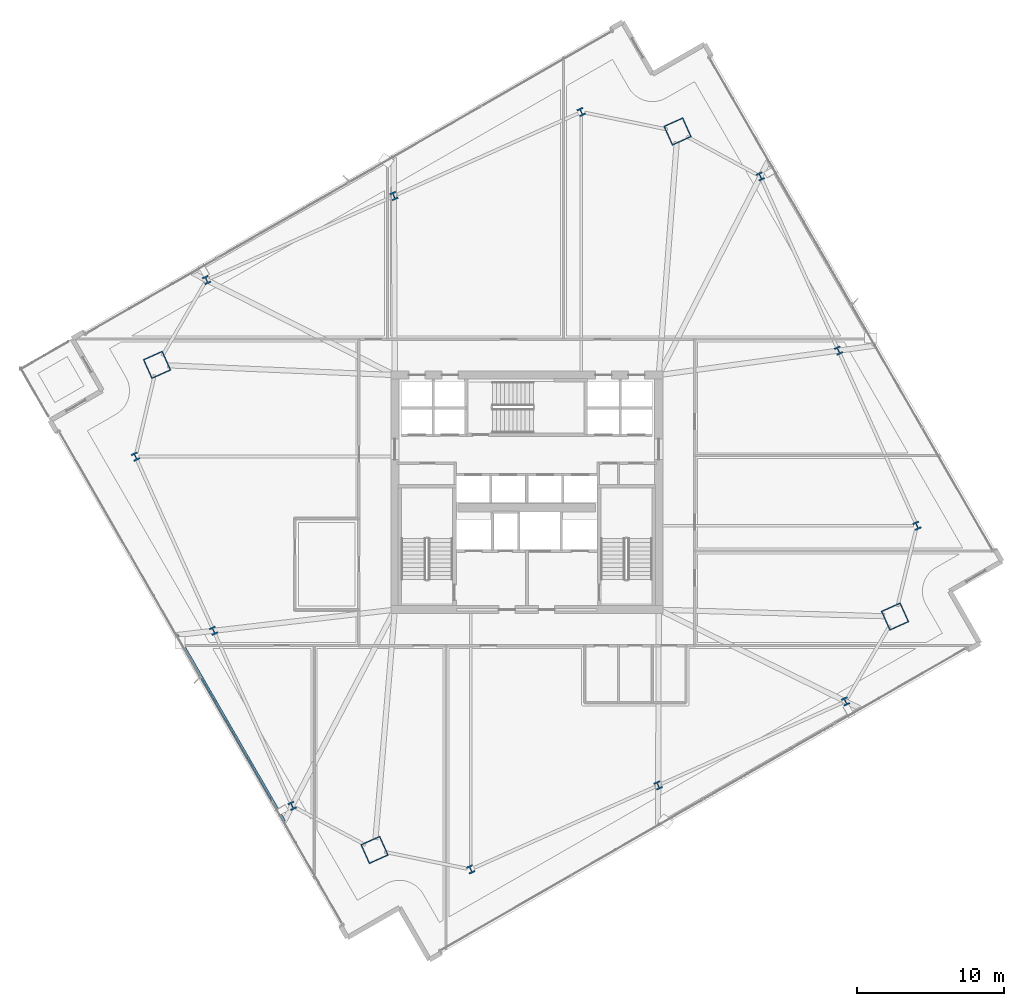
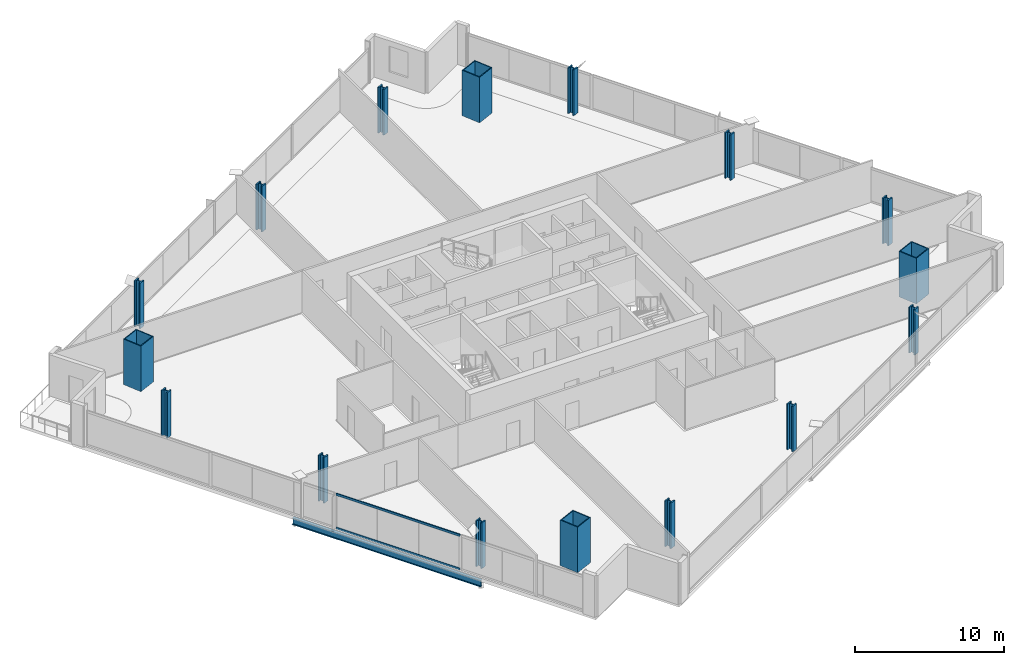
# One storey, part 1 of 33: 16 columns, 2 members, 1 beam, 1 element without a shape of its own.
"""IFC4 building model written with IfcOpenShell, lengths in metres."""

import ifcopenshell
import ifcopenshell.guid

model = None  # the IFC model being written
_history = None  # IfcOwnerHistory: only IFC2X3 demands one
_inside = {}  # id of a spatial element -> (the spatial element, [elements in it])
_under = {}  # id of a project, library or spatial element -> (it, [spatial elements below it])
_declared = {}  # id of a project -> (the project, [libraries it declares])
_typed = {}  # id of a type object -> (the type object, [elements of that type])
_made_of = {}  # id of a material, layer set ... -> (it, [elements and type objects made of it])


def new_model(schema):
    """Start an empty IFC model of exactly this schema.

    Asked for "IFC4X3", IfcOpenShell would pick the latest addendum, in which some entities
    have other attributes; the version numbers below select the first issue.
    IFC2X3 requires an IfcOwnerHistory on every rooted entity: one is made here for all.
    """
    global model, _history
    if schema == "IFC4X3":
        model = ifcopenshell.file(schema_version=(4, 3, 0, 0))
    else:
        model = ifcopenshell.file(schema=schema)
    _inside.clear()
    _under.clear()
    _declared.clear()
    _typed.clear()
    _made_of.clear()
    _history = None
    if model.schema == "IFC2X3":
        org = make("IfcOrganization", Name="unknown")
        user = make(
            "IfcPersonAndOrganization",
            ThePerson=make("IfcPerson", FamilyName="unknown"),
            TheOrganization=org,
        )
        app = make(
            "IfcApplication",
            ApplicationDeveloper=org,
            Version="unknown",
            ApplicationFullName="unknown",
            ApplicationIdentifier="unknown",
        )
        _history = make(
            "IfcOwnerHistory",
            OwningUser=user,
            OwningApplication=app,
            ChangeAction="ADDED",
            CreationDate=0,
        )
    return model


def make(cls, **values):
    """One entity of the class cls with the attributes given. An attribute that is None is left unset."""
    return model.create_entity(
        cls, **{name: value for name, value in values.items() if value is not None}
    )


def rooted(cls, **values):
    """An entity with a GlobalId (a new one), such as an element, a storey or a relation."""
    return make(cls, GlobalId=ifcopenshell.guid.new(), OwnerHistory=_history, **values)


def si_unit(unit_type, name, prefix=None):
    """IfcSIUnit, for example si_unit("LENGTHUNIT", "METRE", prefix="MILLI")."""
    return make("IfcSIUnit", UnitType=unit_type, Prefix=prefix, Name=name)


def assignment(units):
    """IfcUnitAssignment: the units of a project."""
    return None if units is None else make("IfcUnitAssignment", Units=units)


def point(xyz):
    """IfcCartesianPoint."""
    return None if xyz is None else make("IfcCartesianPoint", Coordinates=xyz)


def direction(xyz):
    """IfcDirection."""
    return None if xyz is None else make("IfcDirection", DirectionRatios=xyz)


def frame(location, z_axis=None, x_axis=None):
    """IfcAxis2Placement3D, a coordinate frame: its origin and axes. An axis left out is left unset."""
    return make(
        "IfcAxis2Placement3D",
        Location=point(location),
        Axis=direction(z_axis),
        RefDirection=direction(x_axis),
    )


def frame_2d(location, x_axis=None):
    """IfcAxis2Placement2D, a coordinate frame in the plane: its origin and x axis."""
    return make(
        "IfcAxis2Placement2D", Location=point(location), RefDirection=direction(x_axis)
    )


def origin():
    """The frame at (0, 0, 0) with its axes left unset."""
    return frame((0.0, 0.0, 0.0))


def origin_2d():
    """The frame at (0, 0) in the plane with its x axis left unset."""
    return frame_2d((0.0, 0.0))


def place(relative_to, where):
    """IfcLocalPlacement: puts the frame where relative to a parent placement (None: the world)."""
    return make(
        "IfcLocalPlacement", PlacementRelTo=relative_to, RelativePlacement=where
    )


def context(
    kind, dimensions, precision=None, world=None, true_north=None, identifier=None
):
    """IfcGeometricRepresentationContext, for example the 3D "Model" context."""
    return make(
        "IfcGeometricRepresentationContext",
        ContextIdentifier=identifier,
        ContextType=kind,
        CoordinateSpaceDimension=dimensions,
        Precision=precision,
        WorldCoordinateSystem=world,
        TrueNorth=true_north,
    )


def subcontext(parent, identifier, kind, view, scale=None):
    """IfcGeometricRepresentationSubContext, for example "Body" below "Model"."""
    return make(
        "IfcGeometricRepresentationSubContext",
        ContextIdentifier=identifier,
        ContextType=kind,
        ParentContext=parent,
        TargetScale=scale,
        TargetView=view,
    )


def project(units=None, contexts=None):
    """IfcProject with its units and contexts."""
    return rooted(
        "IfcProject",
        Name="project",
        RepresentationContexts=contexts,
        UnitsInContext=assignment(units),
    )


def spatial(cls, under=None, at=None, **own):
    """A site, building, storey or space (cls), placed at a placement, below another one or the project."""
    s = rooted(cls, ObjectPlacement=at, **own)
    if under is not None:
        _under.setdefault(under.id(), (under, []))[1].append(s)
    return s


def profile(cls, at=None, kind="AREA", **sizes):
    """A parametric profile (cls). Its sizes go by their IFC names, for example OverallWidth=200.0."""
    return make(cls, ProfileType=kind, Position=at, **sizes)


def hollow_rectangle(**sizes):
    """IfcRectangleHollowProfileDef."""
    return profile("IfcRectangleHollowProfileDef", **sizes)


def i_section(**sizes):
    """IfcIShapeProfileDef."""
    return profile("IfcIShapeProfileDef", **sizes)


def extrude(swept, where, along, depth):
    """IfcExtrudedAreaSolid: the profile swept, set in the frame where, extruded along a direction by depth."""
    return make(
        "IfcExtrudedAreaSolid",
        SweptArea=swept,
        Position=where,
        ExtrudedDirection=direction(along),
        Depth=depth,
    )


def shape(context_of_items, identifier, shape_type, items):
    """IfcShapeRepresentation: the items that make up one representation, for example the "Body"."""
    return make(
        "IfcShapeRepresentation",
        ContextOfItems=context_of_items,
        RepresentationIdentifier=identifier,
        RepresentationType=shape_type,
        Items=items,
    )


def material(Name=None, Category=None):
    """IfcMaterial."""
    return make("IfcMaterial", Name=Name, Category=Category)


def material_profile(
    of_material, cross_section, Name=None, Category=None, Priority=None
):
    """IfcMaterialProfile: a cross section and its material."""
    return make(
        "IfcMaterialProfile",
        Name=Name,
        Material=of_material,
        Profile=cross_section,
        Priority=Priority,
        Category=Category,
    )


def profile_set(profiles, Name=None, composite=None):
    """IfcMaterialProfileSet."""
    return make(
        "IfcMaterialProfileSet",
        Name=Name,
        MaterialProfiles=profiles,
        CompositeProfile=composite,
    )


def made_of(thing, what):
    """Note that an element or type object is made of a material, layer set ...; save() writes the relation."""
    if what is not None:
        _made_of.setdefault(what.id(), (what, []))[1].append(thing)
    return thing


def type_object(cls, material=None, **own):
    """A type object (cls), such as IfcWallType, which elements share."""
    return made_of(rooted(cls, **own), material)


def element(
    cls,
    number,
    at=None,
    inside=None,
    cuts=None,
    type_object=None,
    material=None,
    context=None,
    identifier="Body",
    shape_type=None,
    held_by="IfcProductDefinitionShape",
    body=None,
    shapes=None,
    **own,
):
    """One element of the class cls, such as IfcWall. Its Tag is "e" and its number.

    at: its placement. inside: the storey or other place that contains it. cuts: it is an
    opening in that element (IfcRelVoidsElement). A single representation is given by context,
    identifier, shape_type and body (its items); several are given by shapes. held_by: the class
    of the entity that holds the representations. save() writes the other relations.
    """
    e = rooted(cls, Tag="e%d" % number, ObjectPlacement=at, **own)
    if body is not None:
        shapes = [shape(context, identifier, shape_type, body)]
    if shapes is not None:
        e.Representation = make(held_by, Representations=shapes)
    if inside is not None:
        _inside.setdefault(inside.id(), (inside, []))[1].append(e)
    if cuts is not None:
        rooted(
            "IfcRelVoidsElement", RelatingBuildingElement=cuts, RelatedOpeningElement=e
        )
    if type_object is not None:
        _typed.setdefault(type_object.id(), (type_object, []))[1].append(e)
    return made_of(e, material)


def aggregate(whole, parts):
    """IfcRelAggregates: a whole, such as a stair, and the parts it consists of."""
    return rooted("IfcRelAggregates", RelatingObject=whole, RelatedObjects=parts)


def save(model, path):
    """Write the relations noted so far, then the file.

    IfcRelAggregates (storeys below a building ...), IfcRelContainedInSpatialStructure (elements
    in a storey), IfcRelDefinesByType, IfcRelAssociatesMaterial and IfcRelDeclares: one each for
    every whole, place, type object, material and project.
    """
    for whole, parts in _under.values():
        aggregate(whole, parts)
    for where, things in _inside.values():
        rooted(
            "IfcRelContainedInSpatialStructure",
            RelatedElements=things,
            RelatingStructure=where,
        )
    for kind, things in _typed.values():
        rooted("IfcRelDefinesByType", RelatedObjects=things, RelatingType=kind)
    for what, things in _made_of.values():
        rooted("IfcRelAssociatesMaterial", RelatedObjects=things, RelatingMaterial=what)
    for by, libraries in _declared.values():
        rooted("IfcRelDeclares", RelatingContext=by, RelatedDefinitions=libraries)
    model.write(path)


model = new_model("IFC4")

# Units and contexts
model_context = context("Model", 3, precision=1e-05, world=origin(), true_north=direction((0.0, 1.0)))
body_context = subcontext(model_context, "Body", "Model", "MODEL_VIEW")
ifc_project = project(units=[si_unit("LENGTHUNIT", "METRE"), si_unit("AREAUNIT", "SQUARE_METRE"), si_unit("VOLUMEUNIT", "CUBIC_METRE"), si_unit("PLANEANGLEUNIT", "RADIAN"), si_unit("MASSUNIT", "GRAM", prefix="KILO")], contexts=[model_context])

# Site, building, storey
site_placement = place(None, origin())
site = spatial("IfcSite", under=ifc_project, at=site_placement, CompositionType="ELEMENT")
building_placement = place(site_placement, origin())
building = spatial("IfcBuilding", under=site, at=building_placement, Name="Haldenkirk Collegiate Tower", CompositionType="ELEMENT")
storey_placement = place(building_placement, frame((0.0, 0.0, 127.949951171875)))
storey = spatial("IfcBuildingStorey", under=building, at=storey_placement, Name="L31", CompositionType="ELEMENT", Elevation=127.949951171875)

# Columns
ifc_material_1 = material(Name="Steel ASTM A913 Grade 65", Category="steel")
ifc_material_profile_1 = material_profile(ifc_material_1, i_section(OverallWidth=0.44189453125, OverallDepth=0.531005859375, WebThickness=0.06591796875, FlangeThickness=0.105712890625, at=origin_2d()), Name="W14X605")
ifc_profile_set_1 = profile_set([ifc_material_profile_1], Name="Steel ASTM A913 Grade 65")
column_type_1 = type_object("IfcColumnType", Name="COL-INT-W14X605", PredefinedType="COLUMN", material=ifc_profile_set_1)
for number, where, z_axis, x_axis, name in (
    (1, (32.181396484375, 0.287353515625, 0.0), (0.0, 0.0, 1.0), (0.912477494148, 0.409126902895, 0.0), "L31 perimeter gravity column PC-S1"),
    (2, (44.9599609375, 6.0166015625, 0.0), (0.0, 0.0, 1.0), (0.912477494148, 0.409126902895, 0.0), "L31 perimeter gravity column PC-S2"),
    (3, (57.73828125, 11.74609375, 0.0), (0.0, 0.0, 1.0), (0.912477494148, 0.409126902895, 0.0), "L31 perimeter gravity column PC-S3"),
    (4, (62.608642578125, 23.727294921875, 0.0), (0.0, 0.0, 1.0), (0.912477494148, 0.409126902895, 0.0), "L31 perimeter gravity column PC-E1"),
    (5, (57.255126953125, 35.667236328125, 0.0), (0.0, 0.0, 1.0), (0.912477494148, 0.409126902895, 0.0), "L31 perimeter gravity column PC-E2"),
    (6, (51.930419921875, 47.543212890625, 0.0), (0.0, 0.0, 1.0), (0.912477494148, 0.409126902895, 0.0), "L31 perimeter gravity column PC-E3"),
    (7, (39.71630859375, 51.94091796875, 0.0), (0.0, 0.0, 1.0), (0.912477494148, 0.409126902895, 0.0), "L31 perimeter gravity column PC-N1"),
    (8, (26.937744140625, 46.21142578125, 0.0), (0.0, 0.0, 1.0), (0.912477494148, 0.409126902895, 0.0), "L31 perimeter gravity column PC-N2"),
    (9, (14.159423828125, 40.48193359375, 0.0), (0.0, 0.0, 1.0), (0.912477494148, 0.409126902895, 0.0), "L31 perimeter gravity column PC-N3"),
    (10, (9.317626953125, 28.436767578125, 0.0), (0.0, 0.0, 1.0), (0.912477494148, 0.409126902895, 0.0), "L31 perimeter gravity column PC-W1"),
    (11, (14.642578125, 16.560791015625, 0.0), (0.0, 0.0, 1.0), (0.912477494148, 0.409126902895, 0.0), "L31 perimeter gravity column PC-W2"),
    (12, (19.995849609375, 4.62109375, 0.0), (0.0, 0.0, 1.0), (0.912477494148, 0.409126902895, 0.0), "L31 perimeter gravity column PC-W3"),
):
    element("IfcColumn", number, at=place(storey_placement, frame(where, z_axis=z_axis, x_axis=x_axis)), inside=storey, type_object=column_type_1, Name=name, PredefinedType="COLUMN", context=body_context, shape_type="SweptSolid", body=[
        extrude(i_section(OverallWidth=0.44189453125, OverallDepth=0.531005859375, WebThickness=0.06591796875, FlangeThickness=0.105712890625, at=origin_2d()), origin(), (0.0, 0.0, 1.0), 3.75),
    ])
ifc_material_2 = material(Name="Steel ASTM A572 Grade 50", Category="steel")
ifc_material_profile_2 = material_profile(ifc_material_2, hollow_rectangle(XDim=1.449951171875, YDim=1.449951171875, WallThickness=0.070068359375, at=origin_2d()), Name="BOX1450X1450X70")
ifc_profile_set_2 = profile_set([ifc_material_profile_2], Name="Steel ASTM A572 Grade 50")
column_type_2 = type_object("IfcColumnType", Name="COL-MEGA-BOX1450X1450X70", PredefinedType="COLUMN", material=ifc_profile_set_2)
for number, where, z_axis, x_axis, name in (
    (13, (25.61669921875, 1.617919921875, 0.0), (0.0, 0.0, 1.0), (0.912477494148, 0.409126902895, 0.0), "L31 corner mega-column MC1"),
    (14, (61.112060546875, 17.532958984375, 0.0), (0.0, 0.0, 1.0), (0.912477494148, 0.409126902895, 0.0), "L31 corner mega-column MC2"),
    (15, (46.281005859375, 50.610107421875, 0.0), (0.0, 0.0, 1.0), (0.912477494148, 0.409126902895, 0.0), "L31 corner mega-column MC3"),
    (16, (10.78564453125, 34.6953125, 0.0), (0.0, 0.0, 1.0), (0.912477494148, 0.409126902895, 0.0), "L31 corner mega-column MC4"),
):
    element("IfcColumn", number, at=place(storey_placement, frame(where, z_axis=z_axis, x_axis=x_axis)), inside=storey, type_object=column_type_2, Name=name, PredefinedType="COLUMN", context=body_context, shape_type="SweptSolid", body=[
        extrude(hollow_rectangle(XDim=1.449951171875, YDim=1.449951171875, WallThickness=0.070068359375, at=origin_2d()), origin(), (0.0, 0.0, 1.0), 3.75),
    ])

# Beam
ifc_material_3 = material(Name="Steel ASTM A992 Grade 50", Category="steel")
ifc_material_profile_3 = material_profile(ifc_material_3, i_section(OverallWidth=0.2119140625, OverallDepth=0.5439453125, WebThickness=0.01318359375, FlangeThickness=0.021240234375, at=origin_2d()), Name="W21X83")
ifc_profile_set_3 = profile_set([ifc_material_profile_3], Name="Steel ASTM A992 Grade 50")
beam_type = type_object("IfcBeamType", Name="BM-SPANDREL-W21X83", PredefinedType="SPANDREL", material=ifc_profile_set_3)
beam_placement = place(storey_placement, frame((12.14501953125, 16.27001953125, -0.572021484375), z_axis=(0.498499308085, -0.866890096747, 0.0), x_axis=(0.866890096747, 0.498499308085, 0.0)))
element("IfcBeam", 17, at=beam_placement, inside=storey, type_object=beam_type, Name="L31 outer facade edge beam 4", PredefinedType="SPANDREL", context=body_context, shape_type="SweptSolid", body=[
    extrude(i_section(OverallWidth=0.2119140625, OverallDepth=0.5439453125, WebThickness=0.01318359375, FlangeThickness=0.021240234375, at=origin_2d()), origin(), (0.0, 0.0, 1.0), 14.6474609375),
])

# Curtain wall, members
ifc_material_4 = material(Name="Anodised architectural bronze aluminium", Category="aluminium")
curtain_wall_type = type_object("IfcCurtainWallType", Name="CW-SYS1-CONVEX-LOW", PredefinedType="USERDEFINED", material=ifc_material_4)
curtain_wall_placement = place(storey_placement, origin())
curtain_wall = element("IfcCurtainWall", 18, at=curtain_wall_placement, inside=storey, type_object=curtain_wall_type, Name="L31 Lower tower convex bronze-framed unitised curtain wall", ObjectType="UNITISED CURTAIN WALL", PredefinedType="USERDEFINED")
ifc_material_profile_4 = material_profile(ifc_material_4, hollow_rectangle(XDim=0.080078125, YDim=0.179931640625, WallThickness=0.0048828125, at=origin_2d()), Name="CW-TRN-1A")
ifc_profile_set_4 = profile_set([ifc_material_profile_4], Name="Anodised architectural bronze aluminium")
member_type = type_object("IfcMemberType", Name="CW-TRN-1A", PredefinedType="USERDEFINED", material=ifc_profile_set_4)
member_1_placement = place(storey_placement, frame((18.60205078125, 4.960693359375, 0.0400390625), z_axis=(-0.498502056616, 0.866888516218, 0.0), x_axis=(-0.866888516218, -0.498502056616, 0.0)))
member_1 = element("IfcMember", 19, at=member_1_placement, type_object=member_type, Name="CW-1A transom 2.1", ObjectType="TRANSOM", PredefinedType="USERDEFINED", context=body_context, shape_type="SweptSolid", body=[
    extrude(hollow_rectangle(XDim=0.080078125, YDim=0.179931640625, WallThickness=0.0048828125, at=origin_2d()), origin(), (0.0, 0.0, 1.0), 9.638671875),
])
member_2_placement = place(storey_placement, frame((18.60205078125, 4.960693359375, 2.81103515625), z_axis=(-0.498502056616, 0.866888516218, 0.0), x_axis=(-0.866888516218, -0.498502056616, 0.0)))
member_2 = element("IfcMember", 20, at=member_2_placement, type_object=member_type, Name="CW-1A transom 2.2", ObjectType="TRANSOM", PredefinedType="USERDEFINED", context=body_context, shape_type="SweptSolid", body=[
    extrude(hollow_rectangle(XDim=0.080078125, YDim=0.179931640625, WallThickness=0.0048828125, at=origin_2d()), origin(), (0.0, 0.0, 1.0), 9.638671875),
])
aggregate(curtain_wall, [member_1, member_2])

save(model, "model.ifc")
